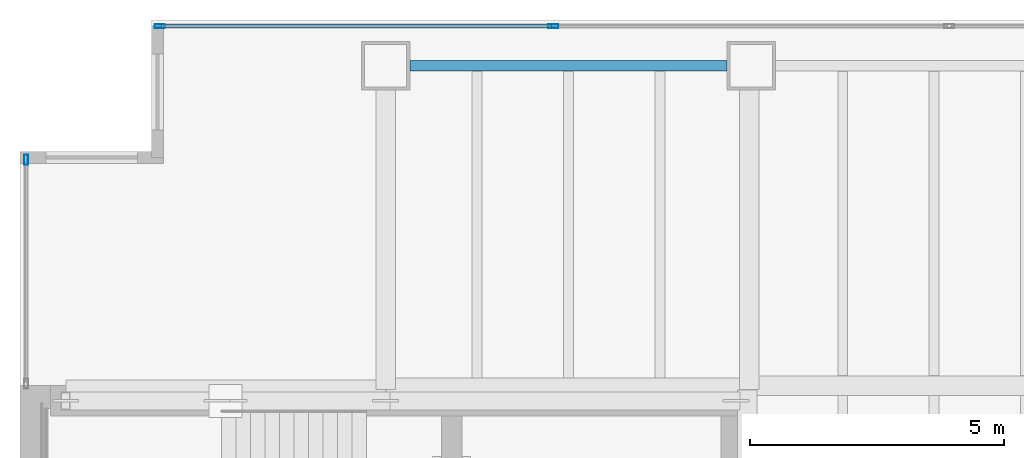
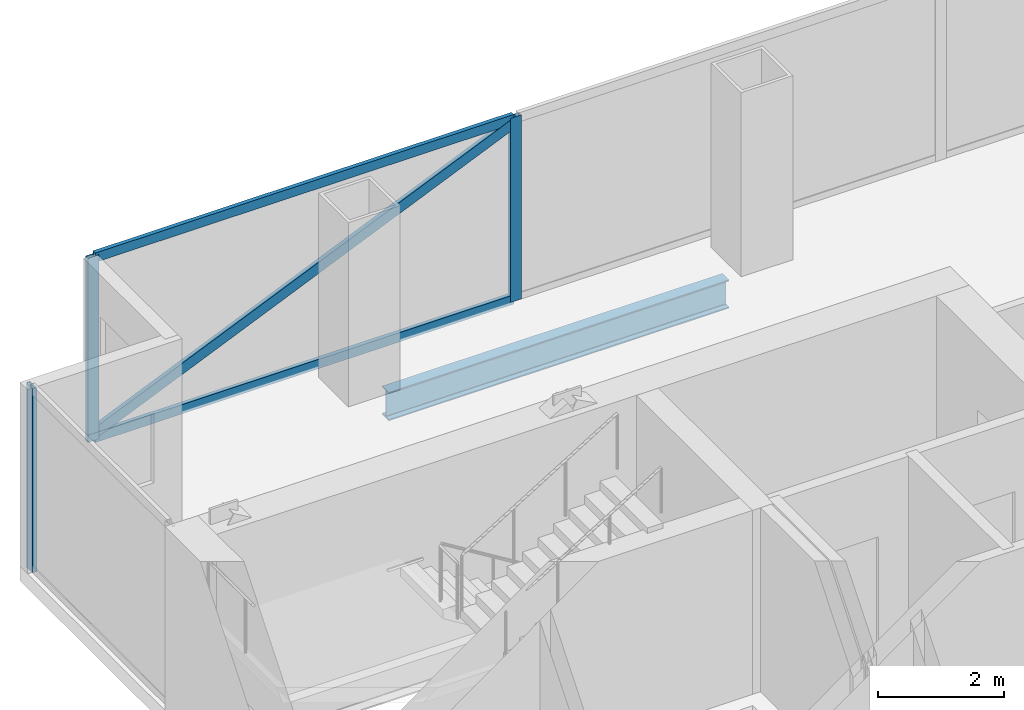
# One storey, part 16 of 23: 6 members, 1 beam, 2 elements without a shape of their own.
"""IFC4 building model written with IfcOpenShell, lengths in metres."""

from ifc_helpers import new_model, si_unit, direction, frame, origin, origin_2d, place, context, subcontext, project, spatial, hollow_rectangle, i_section, extrude, material, material_profile, profile_set, type_object, element, aggregate, save


model = new_model("IFC4")

# Units and contexts
model_context = context("Model", 3, precision=1e-05, world=origin(), true_north=direction((0.0, 1.0)))
body_context = subcontext(model_context, "Body", "Model", "MODEL_VIEW")
ifc_project = project(units=[si_unit("LENGTHUNIT", "METRE"), si_unit("AREAUNIT", "SQUARE_METRE"), si_unit("VOLUMEUNIT", "CUBIC_METRE"), si_unit("PLANEANGLEUNIT", "RADIAN"), si_unit("MASSUNIT", "GRAM", prefix="KILO")], contexts=[model_context])

# Site, building, storey
site_placement = place(None, origin())
site = spatial("IfcSite", under=ifc_project, at=site_placement, CompositionType="ELEMENT")
building_placement = place(site_placement, origin())
building = spatial("IfcBuilding", under=site, at=building_placement, Name="Cobrela Telecom Tower", CompositionType="ELEMENT")
storey_placement = place(building_placement, frame((0.0, 0.0, 88.89990234375)))
storey = spatial("IfcBuildingStorey", under=building, at=storey_placement, Name="L22", CompositionType="ELEMENT", Elevation=88.89990234375)

# Beam
ifc_material_1 = material(Name="Steel ASTM A992 Grade 50", Category="steel")
ifc_material_profile_1 = material_profile(ifc_material_1, i_section(OverallWidth=0.212890625, OverallDepth=0.549072265625, WebThickness=0.0146484375, FlangeThickness=0.023681640625, FilletRadius=0.013916015625, at=origin_2d()), Name="W21X93")
ifc_profile_set_1 = profile_set([ifc_material_profile_1], Name="Steel ASTM A992 Grade 50")
beam_type = type_object("IfcBeamType", Name="BM-SPAND-03", PredefinedType="SPANDREL", material=ifc_profile_set_1)
beam_placement = place(storey_placement, frame((7.679931640625, 42.300048828125, -0.554443359375), z_axis=(1.0, 0.0, 0.0), x_axis=(0.0, 1.0, 0.0)))
element("IfcBeam", 1, at=beam_placement, inside=storey, type_object=beam_type, Name="L22 Perimeter Spandrel X29", PredefinedType="SPANDREL", context=body_context, shape_type="SweptSolid", body=[
    extrude(i_section(OverallWidth=0.212890625, OverallDepth=0.549072265625, WebThickness=0.0146484375, FlangeThickness=0.023681640625, FilletRadius=0.013916015625, at=origin_2d()), origin(), (0.0, 0.0, 1.0), 6.239990234375),
])

# Curtain wall, member
ifc_material_2 = material(Name="Anodized Bronze Aluminium 6063-T6", Category="aluminium")
curtain_wall_type = type_object("IfcCurtainWallType", Name="CW-SYS-DATA", PredefinedType="USERDEFINED", material=ifc_material_2)
curtain_wall_1_placement = place(storey_placement, origin())
curtain_wall_1 = element("IfcCurtainWall", 2, at=curtain_wall_1_placement, inside=storey, type_object=curtain_wall_type, Name="L22 Unitised Bronze Curtain Wall 04", ObjectType="UNITISED CURTAIN WALL", PredefinedType="USERDEFINED")
ifc_material_profile_2 = material_profile(ifc_material_2, hollow_rectangle(XDim=0.080078125, YDim=0.199951171875, WallThickness=0.00390625, at=origin_2d()), Name="ALU 80x200x4")
ifc_profile_set_2 = profile_set([ifc_material_profile_2], Name="Anodized Bronze Aluminium 6063-T6")
member_type_1 = type_object("IfcMemberType", Name="CW-SYS-DATA-MUL", PredefinedType="MULLION", material=ifc_profile_set_2)
member_1_placement = place(storey_placement, frame((0.1201171875, 40.449951171875, 0.0), z_axis=(0.0, 0.0, 1.0), x_axis=(-1.0, 0.0, 0.0)))
member_1 = element("IfcMember", 3, at=member_1_placement, type_object=member_type_1, Name="CW-DATA mullion 2", PredefinedType="MULLION", context=body_context, shape_type="SweptSolid", body=[
    extrude(hollow_rectangle(XDim=0.080078125, YDim=0.199951171875, WallThickness=0.00390625, at=origin_2d()), origin(), (0.0, 0.0, 1.0), 3.570068359375),
])
aggregate(curtain_wall_1, [member_1])

# Curtain wall, members
curtain_wall_2_placement = place(storey_placement, origin())
curtain_wall_2 = element("IfcCurtainWall", 4, at=curtain_wall_2_placement, inside=storey, type_object=curtain_wall_type, Name="L22 Unitised Bronze Curtain Wall 07", ObjectType="UNITISED CURTAIN WALL", PredefinedType="USERDEFINED")
member_2_placement = place(storey_placement, frame((2.75, 43.080078125, 0.0), z_axis=(0.0, 0.0, 1.0), x_axis=(0.0, 1.0, 0.0)))
member_2 = element("IfcMember", 5, at=member_2_placement, type_object=member_type_1, Name="CW-DATA mullion 1", PredefinedType="MULLION", context=body_context, shape_type="SweptSolid", body=[
    extrude(hollow_rectangle(XDim=0.080078125, YDim=0.199951171875, WallThickness=0.00390625, at=origin_2d()), origin(), (0.0, 0.0, 1.0), 3.570068359375),
])
member_3_placement = place(storey_placement, frame((10.50341796875, 43.080078125, 0.0), z_axis=(0.0, 0.0, 1.0), x_axis=(0.0, 1.0, 0.0)))
member_3 = element("IfcMember", 6, at=member_3_placement, type_object=member_type_1, Name="CW-DATA mullion 2", PredefinedType="MULLION", context=body_context, shape_type="SweptSolid", body=[
    extrude(hollow_rectangle(XDim=0.080078125, YDim=0.199951171875, WallThickness=0.00390625, at=origin_2d()), origin(), (0.0, 0.0, 1.0), 3.570068359375),
])
member_4_placement = place(storey_placement, frame((2.7099609375, 43.080078125, 0.10009765625), z_axis=(0.917858168388, 0.0, 0.396908531935), x_axis=(0.0, 1.0, 0.0)))
member_4 = element("IfcMember", 7, at=member_4_placement, type_object=member_type_1, Name="L22 Faceted Curtain Wall Diagonal Glazing Mullion", PredefinedType="MULLION", context=body_context, shape_type="SweptSolid", body=[
    extrude(hollow_rectangle(XDim=0.080078125, YDim=0.199951171875, WallThickness=0.00390625, at=origin_2d()), origin(), (0.0, 0.0, 1.0), 8.490966796875),
])
ifc_material_profile_3 = material_profile(ifc_material_2, hollow_rectangle(XDim=0.074951171875, YDim=0.179931640625, WallThickness=0.00390625, at=origin_2d()), Name="ALU 75x180x4")
ifc_profile_set_3 = profile_set([ifc_material_profile_3], Name="Anodized Bronze Aluminium 6063-T6")
member_type_2 = type_object("IfcMemberType", Name="CW-SYS-DATA-TRN", PredefinedType="USERDEFINED", material=ifc_profile_set_3)
member_5_placement = place(storey_placement, frame((2.7900390625, 43.080078125, 0.03759765625), z_axis=(1.0, 0.0, 0.0), x_axis=(0.0, 1.0, 0.0)))
member_5 = element("IfcMember", 8, at=member_5_placement, type_object=member_type_2, Name="CW-DATA transom 1.1", ObjectType="TRANSOM", PredefinedType="USERDEFINED", context=body_context, shape_type="SweptSolid", body=[
    extrude(hollow_rectangle(XDim=0.074951171875, YDim=0.179931640625, WallThickness=0.00390625, at=origin_2d()), origin(), (0.0, 0.0, 1.0), 7.67333984375),
])
member_6_placement = place(storey_placement, frame((2.7900390625, 43.080078125, 3.53271484375), z_axis=(1.0, 0.0, 0.0), x_axis=(0.0, 1.0, 0.0)))
member_6 = element("IfcMember", 9, at=member_6_placement, type_object=member_type_2, Name="CW-DATA transom 1.2", ObjectType="TRANSOM", PredefinedType="USERDEFINED", context=body_context, shape_type="SweptSolid", body=[
    extrude(hollow_rectangle(XDim=0.074951171875, YDim=0.179931640625, WallThickness=0.00390625, at=origin_2d()), origin(), (0.0, 0.0, 1.0), 7.67333984375),
])
aggregate(curtain_wall_2, [member_2, member_3, member_5, member_6, member_4])

save(model, "model.ifc")
